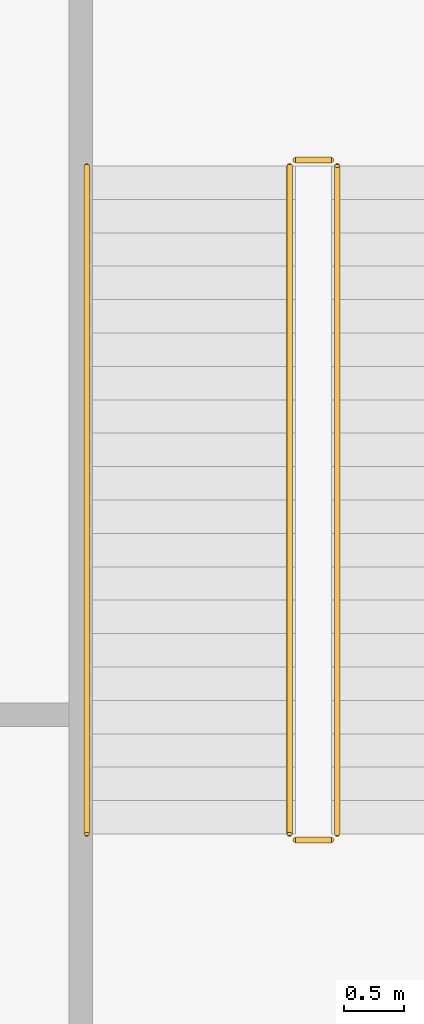
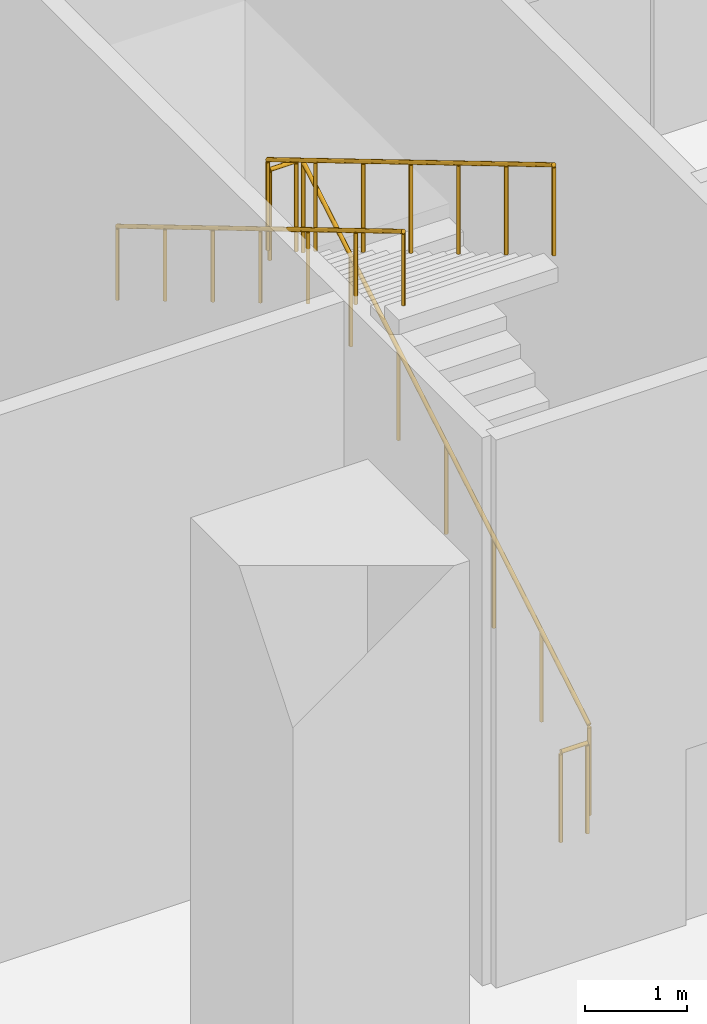
# One storey, part 21 of 30: 5 railings.
"""IFC4 building model written with IfcOpenShell, lengths in metres."""

import ifcopenshell
import ifcopenshell.guid

model = None  # the IFC model being written
_history = None  # IfcOwnerHistory: only IFC2X3 demands one
_inside = {}  # id of a spatial element -> (the spatial element, [elements in it])
_under = {}  # id of a project, library or spatial element -> (it, [spatial elements below it])
_declared = {}  # id of a project -> (the project, [libraries it declares])
_typed = {}  # id of a type object -> (the type object, [elements of that type])
_made_of = {}  # id of a material, layer set ... -> (it, [elements and type objects made of it])


def new_model(schema):
    """Start an empty IFC model of exactly this schema.

    Asked for "IFC4X3", IfcOpenShell would pick the latest addendum, in which some entities
    have other attributes; the version numbers below select the first issue.
    IFC2X3 requires an IfcOwnerHistory on every rooted entity: one is made here for all.
    """
    global model, _history
    if schema == "IFC4X3":
        model = ifcopenshell.file(schema_version=(4, 3, 0, 0))
    else:
        model = ifcopenshell.file(schema=schema)
    _inside.clear()
    _under.clear()
    _declared.clear()
    _typed.clear()
    _made_of.clear()
    _history = None
    if model.schema == "IFC2X3":
        org = make("IfcOrganization", Name="unknown")
        user = make(
            "IfcPersonAndOrganization",
            ThePerson=make("IfcPerson", FamilyName="unknown"),
            TheOrganization=org,
        )
        app = make(
            "IfcApplication",
            ApplicationDeveloper=org,
            Version="unknown",
            ApplicationFullName="unknown",
            ApplicationIdentifier="unknown",
        )
        _history = make(
            "IfcOwnerHistory",
            OwningUser=user,
            OwningApplication=app,
            ChangeAction="ADDED",
            CreationDate=0,
        )
    return model


def make(cls, **values):
    """One entity of the class cls with the attributes given. An attribute that is None is left unset."""
    return model.create_entity(
        cls, **{name: value for name, value in values.items() if value is not None}
    )


def rooted(cls, **values):
    """An entity with a GlobalId (a new one), such as an element, a storey or a relation."""
    return make(cls, GlobalId=ifcopenshell.guid.new(), OwnerHistory=_history, **values)


def si_unit(unit_type, name, prefix=None):
    """IfcSIUnit, for example si_unit("LENGTHUNIT", "METRE", prefix="MILLI")."""
    return make("IfcSIUnit", UnitType=unit_type, Prefix=prefix, Name=name)


def assignment(units):
    """IfcUnitAssignment: the units of a project."""
    return None if units is None else make("IfcUnitAssignment", Units=units)


def point(xyz):
    """IfcCartesianPoint."""
    return None if xyz is None else make("IfcCartesianPoint", Coordinates=xyz)


def direction(xyz):
    """IfcDirection."""
    return None if xyz is None else make("IfcDirection", DirectionRatios=xyz)


def frame(location, z_axis=None, x_axis=None):
    """IfcAxis2Placement3D, a coordinate frame: its origin and axes. An axis left out is left unset."""
    return make(
        "IfcAxis2Placement3D",
        Location=point(location),
        Axis=direction(z_axis),
        RefDirection=direction(x_axis),
    )


def frame_2d(location, x_axis=None):
    """IfcAxis2Placement2D, a coordinate frame in the plane: its origin and x axis."""
    return make(
        "IfcAxis2Placement2D", Location=point(location), RefDirection=direction(x_axis)
    )


def origin():
    """The frame at (0, 0, 0) with its axes left unset."""
    return frame((0.0, 0.0, 0.0))


def origin_2d():
    """The frame at (0, 0) in the plane with its x axis left unset."""
    return frame_2d((0.0, 0.0))


def place(relative_to, where):
    """IfcLocalPlacement: puts the frame where relative to a parent placement (None: the world)."""
    return make(
        "IfcLocalPlacement", PlacementRelTo=relative_to, RelativePlacement=where
    )


def context(
    kind, dimensions, precision=None, world=None, true_north=None, identifier=None
):
    """IfcGeometricRepresentationContext, for example the 3D "Model" context."""
    return make(
        "IfcGeometricRepresentationContext",
        ContextIdentifier=identifier,
        ContextType=kind,
        CoordinateSpaceDimension=dimensions,
        Precision=precision,
        WorldCoordinateSystem=world,
        TrueNorth=true_north,
    )


def subcontext(parent, identifier, kind, view, scale=None):
    """IfcGeometricRepresentationSubContext, for example "Body" below "Model"."""
    return make(
        "IfcGeometricRepresentationSubContext",
        ContextIdentifier=identifier,
        ContextType=kind,
        ParentContext=parent,
        TargetScale=scale,
        TargetView=view,
    )


def project(units=None, contexts=None):
    """IfcProject with its units and contexts."""
    return rooted(
        "IfcProject",
        Name="project",
        RepresentationContexts=contexts,
        UnitsInContext=assignment(units),
    )


def spatial(cls, under=None, at=None, **own):
    """A site, building, storey or space (cls), placed at a placement, below another one or the project."""
    s = rooted(cls, ObjectPlacement=at, **own)
    if under is not None:
        _under.setdefault(under.id(), (under, []))[1].append(s)
    return s


def profile(cls, at=None, kind="AREA", **sizes):
    """A parametric profile (cls). Its sizes go by their IFC names, for example OverallWidth=200.0."""
    return make(cls, ProfileType=kind, Position=at, **sizes)


def circle(**sizes):
    """IfcCircleProfileDef."""
    return profile("IfcCircleProfileDef", **sizes)


def extrude(swept, where, along, depth):
    """IfcExtrudedAreaSolid: the profile swept, set in the frame where, extruded along a direction by depth."""
    return make(
        "IfcExtrudedAreaSolid",
        SweptArea=swept,
        Position=where,
        ExtrudedDirection=direction(along),
        Depth=depth,
    )


def shape(context_of_items, identifier, shape_type, items):
    """IfcShapeRepresentation: the items that make up one representation, for example the "Body"."""
    return make(
        "IfcShapeRepresentation",
        ContextOfItems=context_of_items,
        RepresentationIdentifier=identifier,
        RepresentationType=shape_type,
        Items=items,
    )


def material(Name=None, Category=None):
    """IfcMaterial."""
    return make("IfcMaterial", Name=Name, Category=Category)


def made_of(thing, what):
    """Note that an element or type object is made of a material, layer set ...; save() writes the relation."""
    if what is not None:
        _made_of.setdefault(what.id(), (what, []))[1].append(thing)
    return thing


def type_object(cls, material=None, **own):
    """A type object (cls), such as IfcWallType, which elements share."""
    return made_of(rooted(cls, **own), material)


def element(
    cls,
    number,
    at=None,
    inside=None,
    cuts=None,
    type_object=None,
    material=None,
    context=None,
    identifier="Body",
    shape_type=None,
    held_by="IfcProductDefinitionShape",
    body=None,
    shapes=None,
    **own,
):
    """One element of the class cls, such as IfcWall. Its Tag is "e" and its number.

    at: its placement. inside: the storey or other place that contains it. cuts: it is an
    opening in that element (IfcRelVoidsElement). A single representation is given by context,
    identifier, shape_type and body (its items); several are given by shapes. held_by: the class
    of the entity that holds the representations. save() writes the other relations.
    """
    e = rooted(cls, Tag="e%d" % number, ObjectPlacement=at, **own)
    if body is not None:
        shapes = [shape(context, identifier, shape_type, body)]
    if shapes is not None:
        e.Representation = make(held_by, Representations=shapes)
    if inside is not None:
        _inside.setdefault(inside.id(), (inside, []))[1].append(e)
    if cuts is not None:
        rooted(
            "IfcRelVoidsElement", RelatingBuildingElement=cuts, RelatedOpeningElement=e
        )
    if type_object is not None:
        _typed.setdefault(type_object.id(), (type_object, []))[1].append(e)
    return made_of(e, material)


def aggregate(whole, parts):
    """IfcRelAggregates: a whole, such as a stair, and the parts it consists of."""
    return rooted("IfcRelAggregates", RelatingObject=whole, RelatedObjects=parts)


def save(model, path):
    """Write the relations noted so far, then the file.

    IfcRelAggregates (storeys below a building ...), IfcRelContainedInSpatialStructure (elements
    in a storey), IfcRelDefinesByType, IfcRelAssociatesMaterial and IfcRelDeclares: one each for
    every whole, place, type object, material and project.
    """
    for whole, parts in _under.values():
        aggregate(whole, parts)
    for where, things in _inside.values():
        rooted(
            "IfcRelContainedInSpatialStructure",
            RelatedElements=things,
            RelatingStructure=where,
        )
    for kind, things in _typed.values():
        rooted("IfcRelDefinesByType", RelatedObjects=things, RelatingType=kind)
    for what, things in _made_of.values():
        rooted("IfcRelAssociatesMaterial", RelatedObjects=things, RelatingMaterial=what)
    for by, libraries in _declared.values():
        rooted("IfcRelDeclares", RelatingContext=by, RelatedDefinitions=libraries)
    model.write(path)


model = new_model("IFC4")

# Units and contexts
model_context = context("Model", 3, precision=1e-05, world=origin(), true_north=direction((0.0, 1.0)))
body_context = subcontext(model_context, "Body", "Model", "MODEL_VIEW")
ifc_project = project(units=[si_unit("LENGTHUNIT", "METRE"), si_unit("AREAUNIT", "SQUARE_METRE"), si_unit("VOLUMEUNIT", "CUBIC_METRE"), si_unit("PLANEANGLEUNIT", "RADIAN"), si_unit("MASSUNIT", "GRAM", prefix="KILO")], contexts=[model_context])

# Site, building, storey
site_placement = place(None, origin())
site = spatial("IfcSite", under=ifc_project, at=site_placement, CompositionType="ELEMENT")
building_placement = place(site_placement, origin())
building = spatial("IfcBuilding", under=site, at=building_placement, Name="Tamarind Cross Interchange Tower", CompositionType="ELEMENT")
storey_placement = place(building_placement, frame((0.0, 0.0, -14.0)))
storey = spatial("IfcBuildingStorey", under=building, at=storey_placement, Name="B2", CompositionType="ELEMENT", Elevation=-14.0)

# Railings
ifc_material_1 = material(Name="Public stair guard")
railing_type_1 = type_object("IfcRailingType", Name="Public stair guard", PredefinedType="GUARDRAIL", material=ifc_material_1)
railing_1_placement = place(storey_placement, frame((58.39990234375, -23.5, 0.166748046875)))
element("IfcRailing", 1, at=railing_1_placement, inside=storey, type_object=railing_type_1, Name="B2 XS-P11 stair guard 1", PredefinedType="GUARDRAIL", context=body_context, shape_type="SweptSolid", body=[
    extrude(circle(Radius=0.02392578125, at=origin_2d()), frame((0.0, 0.0, 1.076171875), z_axis=(0.0, 0.859302292876, 0.511468053214), x_axis=(-1.0, 0.0, 0.0)), (0.0, 0.0, 1.0), 6.51708984375),
    extrude(circle(Radius=0.02099609375, at=origin_2d()), origin(), (0.0, 0.0, 1.0), 1.052001953125),
    extrude(circle(Radius=0.02099609375, at=origin_2d()), frame((0.0, 0.933349609375, 0.5556640625)), (0.0, 0.0, 1.0), 1.052001953125),
    extrude(circle(Radius=0.02099609375, at=origin_2d()), frame((0.0, 1.86669921875, 1.111083984375)), (0.0, 0.0, 1.0), 1.052001953125),
    extrude(circle(Radius=0.02099609375, at=origin_2d()), frame((0.0, 2.800048828125, 1.66650390625)), (0.0, 0.0, 1.0), 1.052001953125),
    extrude(circle(Radius=0.02099609375, at=origin_2d()), frame((0.0, 3.7333984375, 2.22216796875)), (0.0, 0.0, 1.0), 1.052001953125),
    extrude(circle(Radius=0.02099609375, at=origin_2d()), frame((0.0, 4.666748046875, 2.77783203125)), (0.0, 0.0, 1.0), 1.052001953125),
    extrude(circle(Radius=0.02099609375, at=origin_2d()), frame((0.0, 5.60009765625, 3.333251953125)), (0.0, 0.0, 1.0), 1.052001953125),
])
railing_2_placement = place(storey_placement, frame((58.35009765625, -17.85009765625, 3.5)))
element("IfcRailing", 2, at=railing_2_placement, inside=storey, type_object=railing_type_1, Name="B2 XS-P11 stair guard 2", PredefinedType="GUARDRAIL", context=body_context, shape_type="SweptSolid", body=[
    extrude(circle(Radius=0.02392578125, at=origin_2d()), frame((0.0, 0.0, 1.076171875), z_axis=(-1.0, 0.0, 0.0), x_axis=(0.0, -1.0, 0.0)), (0.0, 0.0, 1.0), 0.300048828125),
    extrude(circle(Radius=0.02099609375, at=origin_2d()), origin(), (0.0, 0.0, 1.0), 1.052001953125),
    extrude(circle(Radius=0.02099609375, at=origin_2d()), frame((-0.300048828125, 0.0, 0.0)), (0.0, 0.0, 1.0), 1.052001953125),
])
railing_3_placement = place(storey_placement, frame((58.0, -17.89990234375, 3.666748046875)))
element("IfcRailing", 3, at=railing_3_placement, inside=storey, type_object=railing_type_1, Name="B2 XS-P11 stair guard 3", PredefinedType="GUARDRAIL", context=body_context, shape_type="SweptSolid", body=[
    extrude(circle(Radius=0.02392578125, at=origin_2d()), frame((0.0, 0.0, 1.076171875), z_axis=(0.0, -0.859302292876, 0.511468053214), x_axis=(1.0, 0.0, 0.0)), (0.0, 0.0, 1.0), 6.51708984375),
    extrude(circle(Radius=0.02099609375, at=origin_2d()), origin(), (0.0, 0.0, 1.0), 1.052001953125),
    extrude(circle(Radius=0.02099609375, at=origin_2d()), frame((0.0, -0.933349609375, 0.5556640625)), (0.0, 0.0, 1.0), 1.052001953125),
    extrude(circle(Radius=0.02099609375, at=origin_2d()), frame((0.0, -1.86669921875, 1.111083984375)), (0.0, 0.0, 1.0), 1.052001953125),
    extrude(circle(Radius=0.02099609375, at=origin_2d()), frame((0.0, -2.800048828125, 1.66650390625)), (0.0, 0.0, 1.0), 1.052001953125),
    extrude(circle(Radius=0.02099609375, at=origin_2d()), frame((0.0, -3.7333984375, 2.22216796875)), (0.0, 0.0, 1.0), 1.052001953125),
    extrude(circle(Radius=0.02099609375, at=origin_2d()), frame((0.0, -4.666748046875, 2.77783203125)), (0.0, 0.0, 1.0), 1.052001953125),
    extrude(circle(Radius=0.02099609375, at=origin_2d()), frame((0.0, -5.60009765625, 3.333251953125)), (0.0, 0.0, 1.0), 1.052001953125),
])
railing_4_placement = place(storey_placement, frame((58.35009765625, -23.550048828125, 0.0)))
element("IfcRailing", 4, at=railing_4_placement, inside=storey, type_object=railing_type_1, Name="B2 XS-P11 stair guard 4", PredefinedType="GUARDRAIL", context=body_context, shape_type="SweptSolid", body=[
    extrude(circle(Radius=0.02392578125, at=origin_2d()), frame((0.0, 0.0, 1.076171875), z_axis=(-1.0, 0.0, 0.0), x_axis=(0.0, -1.0, 0.0)), (0.0, 0.0, 1.0), 0.300048828125),
    extrude(circle(Radius=0.02099609375, at=origin_2d()), origin(), (0.0, 0.0, 1.0), 1.052001953125),
    extrude(circle(Radius=0.02099609375, at=origin_2d()), frame((-0.300048828125, 0.0, 0.0)), (0.0, 0.0, 1.0), 1.052001953125),
])
ifc_material_2 = material(Name="Public stair handrail")
railing_type_2 = type_object("IfcRailingType", Name="Public stair handrail", PredefinedType="HANDRAIL", material=ifc_material_2)
railing_5_placement = place(storey_placement, frame((56.300048828125, -17.89990234375, 3.666748046875)))
element("IfcRailing", 5, at=railing_5_placement, inside=storey, type_object=railing_type_2, Name="B2 XS-P11 stair handrail 2", PredefinedType="HANDRAIL", context=body_context, shape_type="SweptSolid", body=[
    extrude(circle(Radius=0.02392578125, at=origin_2d()), frame((0.0, 0.0, 0.8759765625), z_axis=(0.0, -0.859302292876, 0.511468053214), x_axis=(1.0, 0.0, 0.0)), (0.0, 0.0, 1.0), 6.51708984375),
    extrude(circle(Radius=0.02099609375, at=origin_2d()), origin(), (0.0, 0.0, 1.0), 0.851806640625),
    extrude(circle(Radius=0.02099609375, at=origin_2d()), frame((0.0, -0.933349609375, 0.5556640625)), (0.0, 0.0, 1.0), 0.851806640625),
    extrude(circle(Radius=0.02099609375, at=origin_2d()), frame((0.0, -1.86669921875, 1.111083984375)), (0.0, 0.0, 1.0), 0.851806640625),
    extrude(circle(Radius=0.02099609375, at=origin_2d()), frame((0.0, -2.800048828125, 1.66650390625)), (0.0, 0.0, 1.0), 0.851806640625),
    extrude(circle(Radius=0.02099609375, at=origin_2d()), frame((0.0, -3.7333984375, 2.22216796875)), (0.0, 0.0, 1.0), 0.851806640625),
    extrude(circle(Radius=0.02099609375, at=origin_2d()), frame((0.0, -4.666748046875, 2.77783203125)), (0.0, 0.0, 1.0), 0.851806640625),
    extrude(circle(Radius=0.02099609375, at=origin_2d()), frame((0.0, -5.60009765625, 3.333251953125)), (0.0, 0.0, 1.0), 0.851806640625),
])

save(model, "model.ifc")
